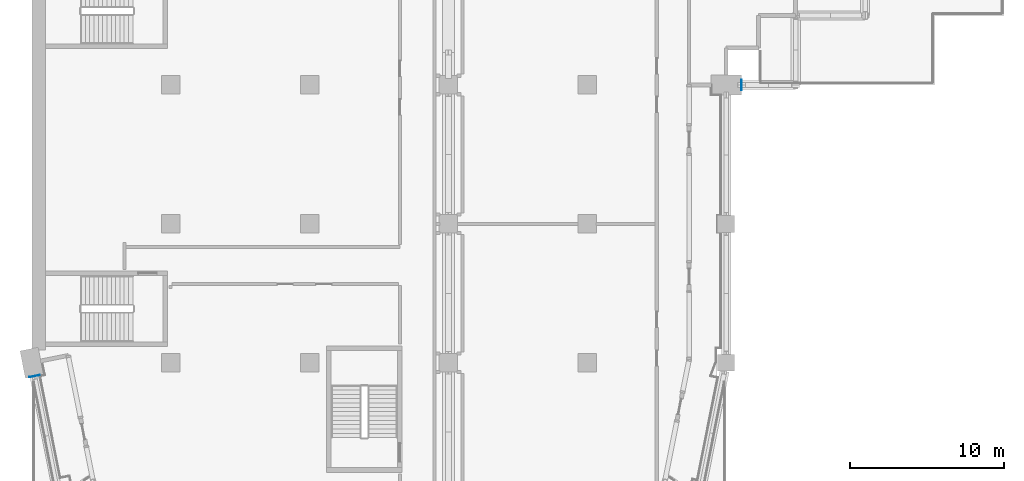
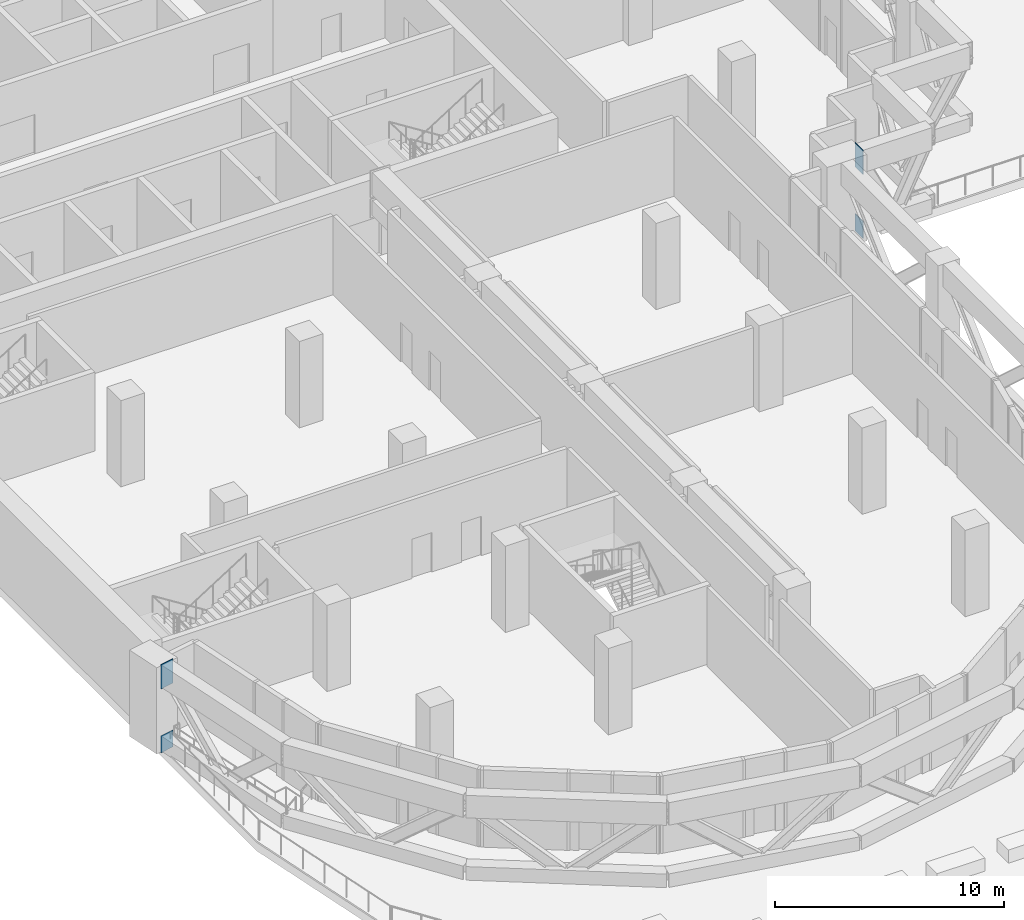
# One storey, part 14 of 20: 4 discrete accessories.
"""IFC4 building model written with IfcOpenShell, lengths in metres."""

import ifcopenshell
import ifcopenshell.guid

model = None  # the IFC model being written
_history = None  # IfcOwnerHistory: only IFC2X3 demands one
_inside = {}  # id of a spatial element -> (the spatial element, [elements in it])
_under = {}  # id of a project, library or spatial element -> (it, [spatial elements below it])
_declared = {}  # id of a project -> (the project, [libraries it declares])
_typed = {}  # id of a type object -> (the type object, [elements of that type])
_made_of = {}  # id of a material, layer set ... -> (it, [elements and type objects made of it])


def new_model(schema):
    """Start an empty IFC model of exactly this schema.

    Asked for "IFC4X3", IfcOpenShell would pick the latest addendum, in which some entities
    have other attributes; the version numbers below select the first issue.
    IFC2X3 requires an IfcOwnerHistory on every rooted entity: one is made here for all.
    """
    global model, _history
    if schema == "IFC4X3":
        model = ifcopenshell.file(schema_version=(4, 3, 0, 0))
    else:
        model = ifcopenshell.file(schema=schema)
    _inside.clear()
    _under.clear()
    _declared.clear()
    _typed.clear()
    _made_of.clear()
    _history = None
    if model.schema == "IFC2X3":
        org = make("IfcOrganization", Name="unknown")
        user = make(
            "IfcPersonAndOrganization",
            ThePerson=make("IfcPerson", FamilyName="unknown"),
            TheOrganization=org,
        )
        app = make(
            "IfcApplication",
            ApplicationDeveloper=org,
            Version="unknown",
            ApplicationFullName="unknown",
            ApplicationIdentifier="unknown",
        )
        _history = make(
            "IfcOwnerHistory",
            OwningUser=user,
            OwningApplication=app,
            ChangeAction="ADDED",
            CreationDate=0,
        )
    return model


def make(cls, **values):
    """One entity of the class cls with the attributes given. An attribute that is None is left unset."""
    return model.create_entity(
        cls, **{name: value for name, value in values.items() if value is not None}
    )


def rooted(cls, **values):
    """An entity with a GlobalId (a new one), such as an element, a storey or a relation."""
    return make(cls, GlobalId=ifcopenshell.guid.new(), OwnerHistory=_history, **values)


def si_unit(unit_type, name, prefix=None):
    """IfcSIUnit, for example si_unit("LENGTHUNIT", "METRE", prefix="MILLI")."""
    return make("IfcSIUnit", UnitType=unit_type, Prefix=prefix, Name=name)


def assignment(units):
    """IfcUnitAssignment: the units of a project."""
    return None if units is None else make("IfcUnitAssignment", Units=units)


def point(xyz):
    """IfcCartesianPoint."""
    return None if xyz is None else make("IfcCartesianPoint", Coordinates=xyz)


def direction(xyz):
    """IfcDirection."""
    return None if xyz is None else make("IfcDirection", DirectionRatios=xyz)


def frame(location, z_axis=None, x_axis=None):
    """IfcAxis2Placement3D, a coordinate frame: its origin and axes. An axis left out is left unset."""
    return make(
        "IfcAxis2Placement3D",
        Location=point(location),
        Axis=direction(z_axis),
        RefDirection=direction(x_axis),
    )


def frame_2d(location, x_axis=None):
    """IfcAxis2Placement2D, a coordinate frame in the plane: its origin and x axis."""
    return make(
        "IfcAxis2Placement2D", Location=point(location), RefDirection=direction(x_axis)
    )


def origin():
    """The frame at (0, 0, 0) with its axes left unset."""
    return frame((0.0, 0.0, 0.0))


def origin_2d():
    """The frame at (0, 0) in the plane with its x axis left unset."""
    return frame_2d((0.0, 0.0))


def place(relative_to, where):
    """IfcLocalPlacement: puts the frame where relative to a parent placement (None: the world)."""
    return make(
        "IfcLocalPlacement", PlacementRelTo=relative_to, RelativePlacement=where
    )


def context(
    kind, dimensions, precision=None, world=None, true_north=None, identifier=None
):
    """IfcGeometricRepresentationContext, for example the 3D "Model" context."""
    return make(
        "IfcGeometricRepresentationContext",
        ContextIdentifier=identifier,
        ContextType=kind,
        CoordinateSpaceDimension=dimensions,
        Precision=precision,
        WorldCoordinateSystem=world,
        TrueNorth=true_north,
    )


def subcontext(parent, identifier, kind, view, scale=None):
    """IfcGeometricRepresentationSubContext, for example "Body" below "Model"."""
    return make(
        "IfcGeometricRepresentationSubContext",
        ContextIdentifier=identifier,
        ContextType=kind,
        ParentContext=parent,
        TargetScale=scale,
        TargetView=view,
    )


def project(units=None, contexts=None):
    """IfcProject with its units and contexts."""
    return rooted(
        "IfcProject",
        Name="project",
        RepresentationContexts=contexts,
        UnitsInContext=assignment(units),
    )


def spatial(cls, under=None, at=None, **own):
    """A site, building, storey or space (cls), placed at a placement, below another one or the project."""
    s = rooted(cls, ObjectPlacement=at, **own)
    if under is not None:
        _under.setdefault(under.id(), (under, []))[1].append(s)
    return s


def profile(cls, at=None, kind="AREA", **sizes):
    """A parametric profile (cls). Its sizes go by their IFC names, for example OverallWidth=200.0."""
    return make(cls, ProfileType=kind, Position=at, **sizes)


def rectangle(**sizes):
    """IfcRectangleProfileDef."""
    return profile("IfcRectangleProfileDef", **sizes)


def extrude(swept, where, along, depth):
    """IfcExtrudedAreaSolid: the profile swept, set in the frame where, extruded along a direction by depth."""
    return make(
        "IfcExtrudedAreaSolid",
        SweptArea=swept,
        Position=where,
        ExtrudedDirection=direction(along),
        Depth=depth,
    )


def shape(context_of_items, identifier, shape_type, items):
    """IfcShapeRepresentation: the items that make up one representation, for example the "Body"."""
    return make(
        "IfcShapeRepresentation",
        ContextOfItems=context_of_items,
        RepresentationIdentifier=identifier,
        RepresentationType=shape_type,
        Items=items,
    )


def material(Name=None, Category=None):
    """IfcMaterial."""
    return make("IfcMaterial", Name=Name, Category=Category)


def layer(
    of_material, thickness, ventilated=None, Name=None, Category=None, Priority=None
):
    """IfcMaterialLayer: one layer of a wall or slab, of a material (None: an air gap)."""
    return make(
        "IfcMaterialLayer",
        Material=of_material,
        LayerThickness=thickness,
        IsVentilated=ventilated,
        Name=Name,
        Category=Category,
        Priority=Priority,
    )


def layer_set(layers, Name=None):
    """IfcMaterialLayerSet."""
    return make("IfcMaterialLayerSet", MaterialLayers=layers, LayerSetName=Name)


def made_of(thing, what):
    """Note that an element or type object is made of a material, layer set ...; save() writes the relation."""
    if what is not None:
        _made_of.setdefault(what.id(), (what, []))[1].append(thing)
    return thing


def type_object(cls, material=None, **own):
    """A type object (cls), such as IfcWallType, which elements share."""
    return made_of(rooted(cls, **own), material)


def element(
    cls,
    number,
    at=None,
    inside=None,
    cuts=None,
    type_object=None,
    material=None,
    context=None,
    identifier="Body",
    shape_type=None,
    held_by="IfcProductDefinitionShape",
    body=None,
    shapes=None,
    **own,
):
    """One element of the class cls, such as IfcWall. Its Tag is "e" and its number.

    at: its placement. inside: the storey or other place that contains it. cuts: it is an
    opening in that element (IfcRelVoidsElement). A single representation is given by context,
    identifier, shape_type and body (its items); several are given by shapes. held_by: the class
    of the entity that holds the representations. save() writes the other relations.
    """
    e = rooted(cls, Tag="e%d" % number, ObjectPlacement=at, **own)
    if body is not None:
        shapes = [shape(context, identifier, shape_type, body)]
    if shapes is not None:
        e.Representation = make(held_by, Representations=shapes)
    if inside is not None:
        _inside.setdefault(inside.id(), (inside, []))[1].append(e)
    if cuts is not None:
        rooted(
            "IfcRelVoidsElement", RelatingBuildingElement=cuts, RelatedOpeningElement=e
        )
    if type_object is not None:
        _typed.setdefault(type_object.id(), (type_object, []))[1].append(e)
    return made_of(e, material)


def aggregate(whole, parts):
    """IfcRelAggregates: a whole, such as a stair, and the parts it consists of."""
    return rooted("IfcRelAggregates", RelatingObject=whole, RelatedObjects=parts)


def save(model, path):
    """Write the relations noted so far, then the file.

    IfcRelAggregates (storeys below a building ...), IfcRelContainedInSpatialStructure (elements
    in a storey), IfcRelDefinesByType, IfcRelAssociatesMaterial and IfcRelDeclares: one each for
    every whole, place, type object, material and project.
    """
    for whole, parts in _under.values():
        aggregate(whole, parts)
    for where, things in _inside.values():
        rooted(
            "IfcRelContainedInSpatialStructure",
            RelatedElements=things,
            RelatingStructure=where,
        )
    for kind, things in _typed.values():
        rooted("IfcRelDefinesByType", RelatedObjects=things, RelatingType=kind)
    for what, things in _made_of.values():
        rooted("IfcRelAssociatesMaterial", RelatedObjects=things, RelatingMaterial=what)
    for by, libraries in _declared.values():
        rooted("IfcRelDeclares", RelatingContext=by, RelatedDefinitions=libraries)
    model.write(path)


model = new_model("IFC4")

# Units and contexts
model_context = context("Model", 3, precision=1e-05, world=origin(), true_north=direction((0.0, 1.0)))
body_context = subcontext(model_context, "Body", "Model", "MODEL_VIEW")
ifc_project = project(units=[si_unit("LENGTHUNIT", "METRE"), si_unit("AREAUNIT", "SQUARE_METRE"), si_unit("VOLUMEUNIT", "CUBIC_METRE"), si_unit("PLANEANGLEUNIT", "RADIAN"), si_unit("MASSUNIT", "GRAM", prefix="KILO")], contexts=[model_context])

# Site, building, storey
site_placement = place(None, origin())
site = spatial("IfcSite", under=ifc_project, at=site_placement, CompositionType="ELEMENT")
building_placement = place(site_placement, origin())
building = spatial("IfcBuilding", under=site, at=building_placement, Name="Hunhe Ridgeline Campus", CompositionType="ELEMENT")
storey_placement = place(building_placement, frame((0.0, 0.0, 178.199951171875)))
storey = spatial("IfcBuildingStorey", under=building, at=storey_placement, Name="L45", CompositionType="ELEMENT", Elevation=178.199951171875)

# Discrete accessories
ifc_material = material(Name="Steel Q420", Category="steel")
ifc_layer_1 = layer(ifc_material, 0.030029296875)
ifc_layer_set_1 = layer_set([ifc_layer_1], Name="Gusset plate 700x1300x30 Steel Q420")
discrete_accessory_type_1 = type_object("IfcDiscreteAccessoryType", Name="Gusset plate 700x1300x30 Steel Q420", PredefinedType="BRACKET", material=ifc_layer_set_1)
for number, where, z_axis, x_axis, name in (
    (1, (0.172607421875, 35.132080078125, 3.35009765625), (0.0, 0.0, 1.0), (-0.195090322016, 0.980785280403, 0.0), "Gusset plate BT1 L45 1"),
    (2, (45.985107421875, 54.0, 3.35009765625), (0.0, 0.0, 1.0), (-1.0, 0.0, 0.0), "Gusset plate BT1 L45 3"),
):
    element("IfcDiscreteAccessory", number, at=place(storey_placement, frame(where, z_axis=z_axis, x_axis=x_axis)), inside=storey, type_object=discrete_accessory_type_1, Name=name, PredefinedType="BRACKET", context=body_context, shape_type="SweptSolid", body=[
        extrude(rectangle(XDim=0.030029296875, YDim=0.699951171875, at=origin_2d()), origin(), (0.0, 0.0, 1.0), 1.300048828125),
    ])
ifc_layer_2 = layer(ifc_material, 0.030029296875)
ifc_layer_set_2 = layer_set([ifc_layer_2], Name="Gusset plate 700x900x30 Steel Q420")
discrete_accessory_type_2 = type_object("IfcDiscreteAccessoryType", Name="Gusset plate 700x900x30 Steel Q420", PredefinedType="BRACKET", material=ifc_layer_set_2)
for number, where, z_axis, x_axis, name in (
    (3, (0.172607421875, 35.132080078125, -0.0498046875), (0.0, 0.0, 1.0), (-0.195090322016, 0.980785280403, 0.0), "Gusset plate BT1 L45 2"),
    (4, (45.985107421875, 54.0, -0.0498046875), (0.0, 0.0, 1.0), (-1.0, 0.0, 0.0), "Gusset plate BT1 L45 4"),
):
    element("IfcDiscreteAccessory", number, at=place(storey_placement, frame(where, z_axis=z_axis, x_axis=x_axis)), inside=storey, type_object=discrete_accessory_type_2, Name=name, PredefinedType="BRACKET", context=body_context, shape_type="SweptSolid", body=[
        extrude(rectangle(XDim=0.030029296875, YDim=0.699951171875, at=origin_2d()), origin(), (0.0, 0.0, 1.0), 0.89990234375),
    ])

save(model, "model.ifc")
